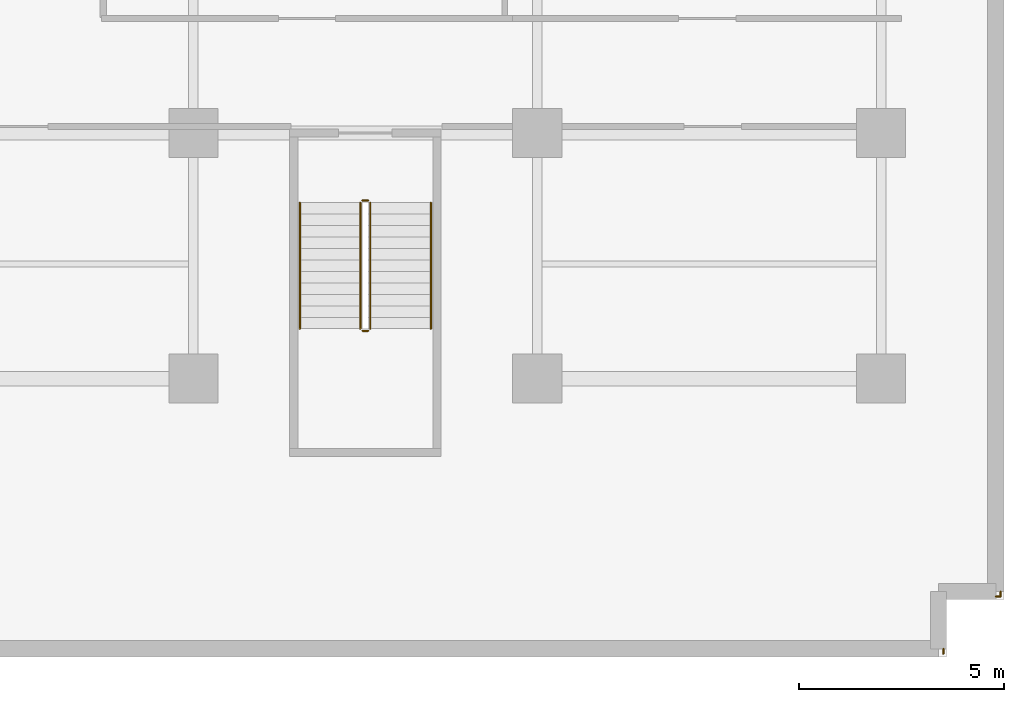
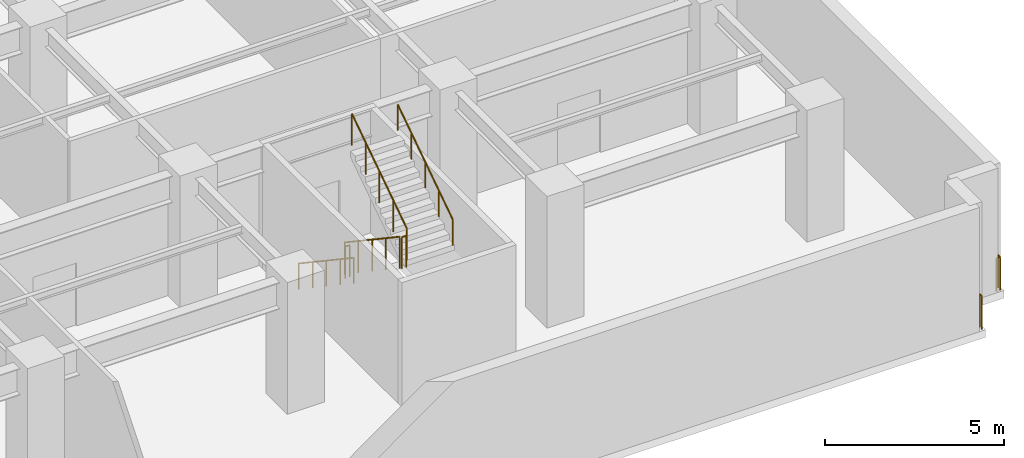
# One storey, part 13 of 14: 9 railings.
"""IFC4 building model written with IfcOpenShell, lengths in metres."""

from ifc_helpers import new_model, si_unit, direction, frame, origin, origin_2d, place, context, subcontext, project, spatial, circle, extrude, material, type_object, element, save


model = new_model("IFC4")

# Units and contexts
model_context = context("Model", 3, precision=1e-05, world=origin(), true_north=direction((0.0, 1.0)))
body_context = subcontext(model_context, "Body", "Model", "MODEL_VIEW")
ifc_project = project(units=[si_unit("LENGTHUNIT", "METRE"), si_unit("AREAUNIT", "SQUARE_METRE"), si_unit("VOLUMEUNIT", "CUBIC_METRE"), si_unit("PLANEANGLEUNIT", "RADIAN"), si_unit("MASSUNIT", "GRAM", prefix="KILO")], contexts=[model_context])

# Site, building, storey
site_placement = place(None, origin())
site = spatial("IfcSite", under=ifc_project, at=site_placement, CompositionType="ELEMENT")
building_placement = place(site_placement, origin())
building = spatial("IfcBuilding", under=site, at=building_placement, Name="Varnakote Quay Hospital", CompositionType="ELEMENT")
storey_placement = place(building_placement, frame((0.0, 0.0, -4.5)))
storey = spatial("IfcBuildingStorey", under=building, at=storey_placement, Name="B01", CompositionType="ELEMENT", Elevation=-4.5)

# Railings
ifc_material_1 = material(Name="Anodised aluminium 6063-T6 Bronze", Category="aluminium")
railing_type_1 = type_object("IfcRailingType", Name="RLG-EXT-GUARD-1150", PredefinedType="GUARDRAIL", material=ifc_material_1)
railing_1_placement = place(storey_placement, frame((86.919921875, 0.800048828125, 0.0)))
element("IfcRailing", 1, at=railing_1_placement, inside=storey, type_object=railing_type_1, Name="B01 Slab Edge Perimeter Safety Guard", PredefinedType="GUARDRAIL", context=body_context, shape_type="SweptSolid", body=[
    extrude(circle(Radius=0.02392578125, at=origin_2d()), frame((0.0, 0.0, 1.1259765625), z_axis=(0.0, -1.0, 0.0), x_axis=(1.0, 0.0, 0.0)), (0.0, 0.0, 1.0), 0.1201171875),
    extrude(circle(Radius=0.02099609375, at=origin_2d()), origin(), (0.0, 0.0, 1.0), 1.101806640625),
    extrude(circle(Radius=0.02099609375, at=origin_2d()), frame((0.0, -0.1201171875, 0.0)), (0.0, 0.0, 1.0), 1.101806640625),
])
railing_2_placement = place(storey_placement, frame((86.919921875, 0.679931640625, 0.0)))
element("IfcRailing", 2, at=railing_2_placement, inside=storey, type_object=railing_type_1, Name="B01 Slab Edge Perimeter Safety Guard", PredefinedType="GUARDRAIL", context=body_context, shape_type="SweptSolid", body=[
    extrude(circle(Radius=0.02392578125, at=origin_2d()), frame((0.0, 0.0, 1.1259765625), z_axis=(-1.0, 0.0, 0.0), x_axis=(0.0, -1.0, 0.0)), (0.0, 0.0, 1.0), 0.119873046875),
    extrude(circle(Radius=0.02099609375, at=origin_2d()), origin(), (0.0, 0.0, 1.0), 1.101806640625),
    extrude(circle(Radius=0.02099609375, at=origin_2d()), frame((-0.119873046875, 0.0, 0.0)), (0.0, 0.0, 1.0), 1.101806640625),
])
railing_3_placement = place(storey_placement, frame((85.52001953125, -0.60009765625, 0.0)))
element("IfcRailing", 3, at=railing_3_placement, inside=storey, type_object=railing_type_1, Name="B01 Slab Edge Perimeter Safety Guard", PredefinedType="GUARDRAIL", context=body_context, shape_type="SweptSolid", body=[
    extrude(circle(Radius=0.02392578125, at=origin_2d()), frame((0.0, 0.0, 1.1259765625), z_axis=(0.0, -1.0, 0.0), x_axis=(1.0, 0.0, 0.0)), (0.0, 0.0, 1.0), 0.119873046875),
    extrude(circle(Radius=0.02099609375, at=origin_2d()), origin(), (0.0, 0.0, 1.0), 1.101806640625),
    extrude(circle(Radius=0.02099609375, at=origin_2d()), frame((0.0, -0.119873046875, 0.0)), (0.0, 0.0, 1.0), 1.101806640625),
])
ifc_material_2 = material(Name="Brushed stainless steel balustrade", Category="steel")
railing_type_2 = type_object("IfcRailingType", Name="RLG-STAIR-GUARD-1150", PredefinedType="GUARDRAIL", material=ifc_material_2)
railing_4_placement = place(storey_placement, frame((71.280029296875, 10.300048828125, 0.1875)))
element("IfcRailing", 4, at=railing_4_placement, inside=storey, type_object=railing_type_2, Name="B01 ST-06 stair guard 1", PredefinedType="GUARDRAIL", context=body_context, shape_type="SweptSolid", body=[
    extrude(circle(Radius=0.02392578125, at=origin_2d()), frame((0.0, 0.0, 1.076171875), z_axis=(0.0, -0.830913701846, 0.55640131208), x_axis=(1.0, 0.0, 0.0)), (0.0, 0.0, 1.0), 3.706787109375),
    extrude(circle(Radius=0.02099609375, at=origin_2d()), origin(), (0.0, 0.0, 1.0), 1.052001953125),
    extrude(circle(Radius=0.02099609375, at=origin_2d()), frame((0.0, -0.77001953125, 0.515625)), (0.0, 0.0, 1.0), 1.052001953125),
    extrude(circle(Radius=0.02099609375, at=origin_2d()), frame((0.0, -1.5400390625, 1.03125)), (0.0, 0.0, 1.0), 1.052001953125),
    extrude(circle(Radius=0.02099609375, at=origin_2d()), frame((0.0, -2.31005859375, 1.546875)), (0.0, 0.0, 1.0), 1.052001953125),
    extrude(circle(Radius=0.02099609375, at=origin_2d()), frame((0.0, -3.080078125, 2.0625)), (0.0, 0.0, 1.0), 1.052001953125),
])
railing_5_placement = place(storey_placement, frame((71.330078125, 7.169921875, 2.25)))
element("IfcRailing", 5, at=railing_5_placement, inside=storey, type_object=railing_type_2, Name="B01 ST-06 stair guard 2", PredefinedType="GUARDRAIL", context=body_context, shape_type="SweptSolid", body=[
    extrude(circle(Radius=0.02392578125, at=origin_2d()), frame((0.0, 0.0, 1.076171875), z_axis=(1.0, 0.0, 0.0), x_axis=(0.0, 1.0, 0.0)), (0.0, 0.0, 1.0), 0.139892578125),
    extrude(circle(Radius=0.02099609375, at=origin_2d()), origin(), (0.0, 0.0, 1.0), 1.052001953125),
    extrude(circle(Radius=0.02099609375, at=origin_2d()), frame((0.139892578125, 0.0, 0.0)), (0.0, 0.0, 1.0), 1.052001953125),
])
railing_6_placement = place(storey_placement, frame((71.52001953125, 7.219970703125, 2.4375)))
element("IfcRailing", 6, at=railing_6_placement, inside=storey, type_object=railing_type_2, Name="B01 ST-06 stair guard 3", PredefinedType="GUARDRAIL", context=body_context, shape_type="SweptSolid", body=[
    extrude(circle(Radius=0.02392578125, at=origin_2d()), frame((0.0, 0.0, 1.076171875), z_axis=(0.0, 0.830913701846, 0.55640131208), x_axis=(-1.0, 0.0, 0.0)), (0.0, 0.0, 1.0), 3.706787109375),
    extrude(circle(Radius=0.02099609375, at=origin_2d()), origin(), (0.0, 0.0, 1.0), 1.052001953125),
    extrude(circle(Radius=0.02099609375, at=origin_2d()), frame((0.0, 0.77001953125, 0.515625)), (0.0, 0.0, 1.0), 1.052001953125),
    extrude(circle(Radius=0.02099609375, at=origin_2d()), frame((0.0, 1.5400390625, 1.03125)), (0.0, 0.0, 1.0), 1.052001953125),
    extrude(circle(Radius=0.02099609375, at=origin_2d()), frame((0.0, 2.31005859375, 1.546875)), (0.0, 0.0, 1.0), 1.052001953125),
    extrude(circle(Radius=0.02099609375, at=origin_2d()), frame((0.0, 3.080078125, 2.0625)), (0.0, 0.0, 1.0), 1.052001953125),
])
railing_7_placement = place(storey_placement, frame((71.330078125, 10.35009765625, 0.0)))
element("IfcRailing", 7, at=railing_7_placement, inside=storey, type_object=railing_type_2, Name="B01 ST-06 stair guard 4", PredefinedType="GUARDRAIL", context=body_context, shape_type="SweptSolid", body=[
    extrude(circle(Radius=0.02392578125, at=origin_2d()), frame((0.0, 0.0, 1.076171875), z_axis=(1.0, 0.0, 0.0), x_axis=(0.0, 1.0, 0.0)), (0.0, 0.0, 1.0), 0.139892578125),
    extrude(circle(Radius=0.02099609375, at=origin_2d()), origin(), (0.0, 0.0, 1.0), 1.052001953125),
    extrude(circle(Radius=0.02099609375, at=origin_2d()), frame((0.139892578125, 0.0, 0.0)), (0.0, 0.0, 1.0), 1.052001953125),
])
ifc_material_3 = material(Name="Brushed stainless steel handrail", Category="steel")
railing_type_3 = type_object("IfcRailingType", Name="RLG-STAIR-HND-920", PredefinedType="HANDRAIL", material=ifc_material_3)
railing_8_placement = place(storey_placement, frame((69.800048828125, 10.300048828125, 0.1875)))
element("IfcRailing", 8, at=railing_8_placement, inside=storey, type_object=railing_type_3, Name="B01 ST-06 stair handrail 1", PredefinedType="HANDRAIL", context=body_context, shape_type="SweptSolid", body=[
    extrude(circle(Radius=0.02392578125, at=origin_2d()), frame((0.0, 0.0, 0.8759765625), z_axis=(0.0, -0.830913701846, 0.55640131208), x_axis=(1.0, 0.0, 0.0)), (0.0, 0.0, 1.0), 3.706787109375),
    extrude(circle(Radius=0.02099609375, at=origin_2d()), origin(), (0.0, 0.0, 1.0), 0.851806640625),
    extrude(circle(Radius=0.02099609375, at=origin_2d()), frame((0.0, -0.77001953125, 0.515625)), (0.0, 0.0, 1.0), 0.851806640625),
    extrude(circle(Radius=0.02099609375, at=origin_2d()), frame((0.0, -1.5400390625, 1.03125)), (0.0, 0.0, 1.0), 0.851806640625),
    extrude(circle(Radius=0.02099609375, at=origin_2d()), frame((0.0, -2.31005859375, 1.546875)), (0.0, 0.0, 1.0), 0.851806640625),
    extrude(circle(Radius=0.02099609375, at=origin_2d()), frame((0.0, -3.080078125, 2.0625)), (0.0, 0.0, 1.0), 0.851806640625),
])
railing_9_placement = place(storey_placement, frame((73.0, 7.219970703125, 2.4375)))
element("IfcRailing", 9, at=railing_9_placement, inside=storey, type_object=railing_type_3, Name="B01 ST-06 stair handrail 2", PredefinedType="HANDRAIL", context=body_context, shape_type="SweptSolid", body=[
    extrude(circle(Radius=0.02392578125, at=origin_2d()), frame((0.0, 0.0, 0.8759765625), z_axis=(0.0, 0.830913701846, 0.55640131208), x_axis=(-1.0, 0.0, 0.0)), (0.0, 0.0, 1.0), 3.706787109375),
    extrude(circle(Radius=0.02099609375, at=origin_2d()), origin(), (0.0, 0.0, 1.0), 0.851806640625),
    extrude(circle(Radius=0.02099609375, at=origin_2d()), frame((0.0, 0.77001953125, 0.515625)), (0.0, 0.0, 1.0), 0.851806640625),
    extrude(circle(Radius=0.02099609375, at=origin_2d()), frame((0.0, 1.5400390625, 1.03125)), (0.0, 0.0, 1.0), 0.851806640625),
    extrude(circle(Radius=0.02099609375, at=origin_2d()), frame((0.0, 2.31005859375, 1.546875)), (0.0, 0.0, 1.0), 0.851806640625),
    extrude(circle(Radius=0.02099609375, at=origin_2d()), frame((0.0, 3.080078125, 2.0625)), (0.0, 0.0, 1.0), 0.851806640625),
])

save(model, "model.ifc")
